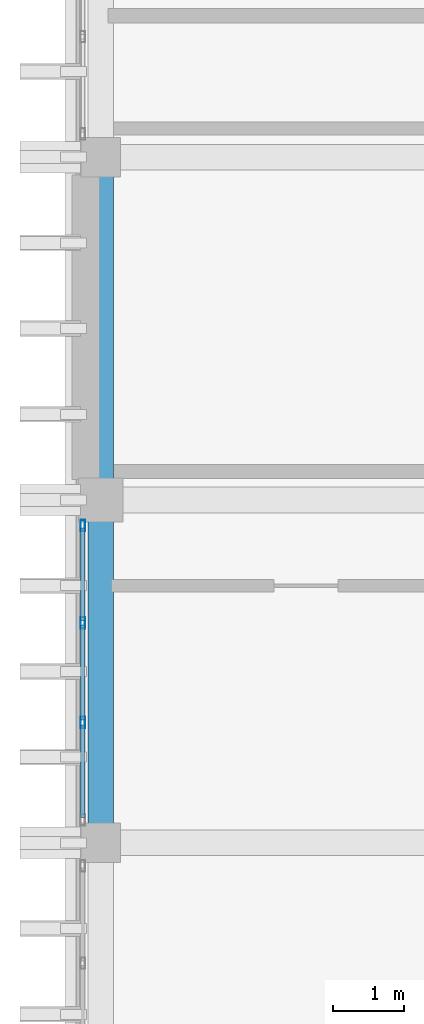
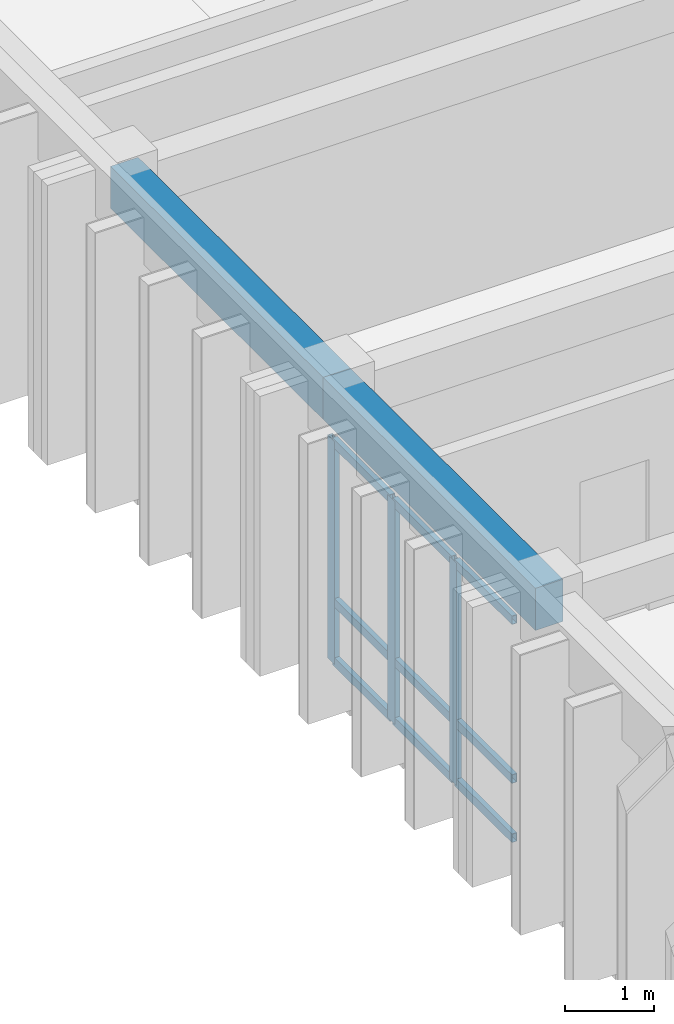
# One storey, part 19 of 50: 12 members, 2 beams, 1 element without a shape of its own.
"""IFC4 building model written with IfcOpenShell, lengths in metres."""

from ifc_helpers import new_model, si_unit, direction, frame, origin, origin_2d, place, context, subcontext, project, spatial, rectangle, hollow_rectangle, extrude, material, layer, layer_set, material_profile, profile_set, type_object, element, aggregate, save


model = new_model("IFC4")

# Units and contexts
model_context = context("Model", 3, precision=1e-05, world=origin(), true_north=direction((0.0, 1.0)))
body_context = subcontext(model_context, "Body", "Model", "MODEL_VIEW")
ifc_project = project(units=[si_unit("LENGTHUNIT", "METRE"), si_unit("AREAUNIT", "SQUARE_METRE"), si_unit("VOLUMEUNIT", "CUBIC_METRE"), si_unit("PLANEANGLEUNIT", "RADIAN"), si_unit("MASSUNIT", "GRAM", prefix="KILO")], contexts=[model_context])

# Site, building, storey
site_placement = place(None, origin())
site = spatial("IfcSite", under=ifc_project, at=site_placement, CompositionType="ELEMENT")
building_placement = place(site_placement, origin())
building = spatial("IfcBuilding", under=site, at=building_placement, Name="Nakhvara Creek Congress Hotel", CompositionType="ELEMENT")
storey_placement = place(building_placement, frame((0.0, 0.0, 42.60009765625)))
storey = spatial("IfcBuildingStorey", under=building, at=storey_placement, Name="L10", CompositionType="ELEMENT", Elevation=42.60009765625)

# Beams
ifc_material_1 = material(Name="Concrete C40/50", Category="concrete")
ifc_material_profile_1 = material_profile(ifc_material_1, rectangle(XDim=0.360107421875, YDim=0.580078125, at=origin_2d()), Name="RC-BM 360x580", Category="LoadBearing")
ifc_profile_set_1 = profile_set([ifc_material_profile_1], Name="Concrete C40/50")
beam_type = type_object("IfcBeamType", Name="BM-RC-360X580", PredefinedType="BEAM", material=ifc_profile_set_1)
for number, where, z_axis, x_axis, name in (
    (1, (149.449951171875, 91.199951171875, 3.369873046875), (0.0, 1.0, 0.0), (-1.0, 0.0, 0.0), "Beam B09-L10-2639"),
    (2, (149.449951171875, 96.0, 3.369873046875), (0.0, 1.0, 0.0), (-1.0, 0.0, 0.0), "Beam B09-L10-2640"),
):
    element("IfcBeam", number, at=place(storey_placement, frame(where, z_axis=z_axis, x_axis=x_axis)), inside=storey, type_object=beam_type, Name=name, PredefinedType="BEAM", context=body_context, shape_type="SweptSolid", body=[
        extrude(rectangle(XDim=0.360107421875, YDim=0.580078125, at=origin_2d()), origin(), (0.0, 0.0, 1.0), 4.800048828125),
    ])

# Curtain wall, members
ifc_material_2 = material(Name="Bronze-anodised aluminium AW-6063-T6 and double-silver low-E glass", Category="aluminium")
ifc_layer = layer(ifc_material_2, 0.199951171875)
ifc_layer_set = layer_set([ifc_layer], Name="Bronze-anodised aluminium AW-6063-T6 and double-silver low-E glass")
curtain_wall_type = type_object("IfcCurtainWallType", Name="CW-HTL-UNIT", PredefinedType="USERDEFINED", material=ifc_layer_set)
curtain_wall_placement = place(storey_placement, origin())
curtain_wall = element("IfcCurtainWall", 3, at=curtain_wall_placement, inside=storey, type_object=curtain_wall_type, Name="Curtain Wall CW323", ObjectType="UNITISED", PredefinedType="USERDEFINED")
ifc_material_3 = material(Name="Bronze-anodised aluminium AW-6063-T6", Category="aluminium")
ifc_material_profile_2 = material_profile(ifc_material_3, hollow_rectangle(XDim=0.06494140625, YDim=0.159912109375, WallThickness=0.00390625, at=origin_2d()), Name="ALU-MULL 65x160x4", Category="LoadBearing")
ifc_profile_set_2 = profile_set([ifc_material_profile_2], Name="Bronze-anodised aluminium AW-6063-T6")
member_type_1 = type_object("IfcMemberType", Name="CW-MULL-160", PredefinedType="MULLION", material=ifc_profile_set_2)
member_1_placement = place(storey_placement, frame((149.199951171875, 92.885009765625, 0.0), z_axis=(0.0, 0.0, 1.0), x_axis=(-1.0, 0.0, 0.0)))
member_1 = element("IfcMember", 4, at=member_1_placement, type_object=member_type_1, Name="CW323 mullion 2", PredefinedType="MULLION", context=body_context, shape_type="SweptSolid", body=[
    extrude(hollow_rectangle(XDim=0.06494140625, YDim=0.159912109375, WallThickness=0.00390625, at=origin_2d()), origin(), (0.0, 0.0, 1.0), 3.072021484375),
])
member_2_placement = place(storey_placement, frame((149.199951171875, 94.280029296875, 0.0), z_axis=(0.0, 0.0, 1.0), x_axis=(-1.0, 0.0, 0.0)))
member_2 = element("IfcMember", 5, at=member_2_placement, type_object=member_type_1, Name="CW323 mullion 3", PredefinedType="MULLION", context=body_context, shape_type="SweptSolid", body=[
    extrude(hollow_rectangle(XDim=0.06494140625, YDim=0.159912109375, WallThickness=0.00390625, at=origin_2d()), origin(), (0.0, 0.0, 1.0), 3.072021484375),
])
member_3_placement = place(storey_placement, frame((149.199951171875, 95.642578125, 0.0), z_axis=(0.0, 0.0, 1.0), x_axis=(-1.0, 0.0, 0.0)))
member_3 = element("IfcMember", 6, at=member_3_placement, type_object=member_type_1, Name="CW323 mullion 4", PredefinedType="MULLION", context=body_context, shape_type="SweptSolid", body=[
    extrude(hollow_rectangle(XDim=0.06494140625, YDim=0.159912109375, WallThickness=0.00390625, at=origin_2d()), origin(), (0.0, 0.0, 1.0), 3.072021484375),
])
ifc_material_profile_3 = material_profile(ifc_material_3, hollow_rectangle(XDim=0.06494140625, YDim=0.1201171875, WallThickness=0.00390625, at=origin_2d()), Name="ALU-TRAN 65x120x4", Category="LoadBearing")
ifc_profile_set_3 = profile_set([ifc_material_profile_3], Name="Bronze-anodised aluminium AW-6063-T6")
member_type_2 = type_object("IfcMemberType", Name="CW-TRAN-120", PredefinedType="USERDEFINED", material=ifc_profile_set_3)
member_4_placement = place(storey_placement, frame((149.199951171875, 91.554931640625, 0.032470703125), z_axis=(0.0, 1.0, 0.0), x_axis=(-1.0, 0.0, 0.0)))
member_4 = element("IfcMember", 7, at=member_4_placement, type_object=member_type_2, Name="CW323 transom 1.1", ObjectType="TRANSOM", PredefinedType="USERDEFINED", context=body_context, shape_type="SweptSolid", body=[
    extrude(hollow_rectangle(XDim=0.06494140625, YDim=0.1201171875, WallThickness=0.00390625, at=origin_2d()), origin(), (0.0, 0.0, 1.0), 1.297607421875),
])
member_5_placement = place(storey_placement, frame((149.199951171875, 91.554931640625, 0.849853515625), z_axis=(0.0, 1.0, 0.0), x_axis=(-1.0, 0.0, 0.0)))
member_5 = element("IfcMember", 8, at=member_5_placement, type_object=member_type_2, Name="CW323 transom 1.2", ObjectType="TRANSOM", PredefinedType="USERDEFINED", context=body_context, shape_type="SweptSolid", body=[
    extrude(hollow_rectangle(XDim=0.06494140625, YDim=0.1201171875, WallThickness=0.00390625, at=origin_2d()), origin(), (0.0, 0.0, 1.0), 1.297607421875),
])
member_6_placement = place(storey_placement, frame((149.199951171875, 91.554931640625, 3.039306640625), z_axis=(0.0, 1.0, 0.0), x_axis=(-1.0, 0.0, 0.0)))
member_6 = element("IfcMember", 9, at=member_6_placement, type_object=member_type_2, Name="CW323 transom 1.3", ObjectType="TRANSOM", PredefinedType="USERDEFINED", context=body_context, shape_type="SweptSolid", body=[
    extrude(hollow_rectangle(XDim=0.06494140625, YDim=0.1201171875, WallThickness=0.00390625, at=origin_2d()), origin(), (0.0, 0.0, 1.0), 1.297607421875),
])
member_7_placement = place(storey_placement, frame((149.199951171875, 92.91748046875, 0.032470703125), z_axis=(0.0, 1.0, 0.0), x_axis=(-1.0, 0.0, 0.0)))
member_7 = element("IfcMember", 10, at=member_7_placement, type_object=member_type_2, Name="CW323 transom 2.1", ObjectType="TRANSOM", PredefinedType="USERDEFINED", context=body_context, shape_type="SweptSolid", body=[
    extrude(hollow_rectangle(XDim=0.06494140625, YDim=0.1201171875, WallThickness=0.00390625, at=origin_2d()), origin(), (0.0, 0.0, 1.0), 1.330078125),
])
member_8_placement = place(storey_placement, frame((149.199951171875, 92.91748046875, 0.849853515625), z_axis=(0.0, 1.0, 0.0), x_axis=(-1.0, 0.0, 0.0)))
member_8 = element("IfcMember", 11, at=member_8_placement, type_object=member_type_2, Name="CW323 transom 2.2", ObjectType="TRANSOM", PredefinedType="USERDEFINED", context=body_context, shape_type="SweptSolid", body=[
    extrude(hollow_rectangle(XDim=0.06494140625, YDim=0.1201171875, WallThickness=0.00390625, at=origin_2d()), origin(), (0.0, 0.0, 1.0), 1.330078125),
])
member_9_placement = place(storey_placement, frame((149.199951171875, 92.91748046875, 3.039306640625), z_axis=(0.0, 1.0, 0.0), x_axis=(-1.0, 0.0, 0.0)))
member_9 = element("IfcMember", 12, at=member_9_placement, type_object=member_type_2, Name="CW323 transom 2.3", ObjectType="TRANSOM", PredefinedType="USERDEFINED", context=body_context, shape_type="SweptSolid", body=[
    extrude(hollow_rectangle(XDim=0.06494140625, YDim=0.1201171875, WallThickness=0.00390625, at=origin_2d()), origin(), (0.0, 0.0, 1.0), 1.330078125),
])
member_10_placement = place(storey_placement, frame((149.199951171875, 94.3125, 0.032470703125), z_axis=(0.0, 1.0, 0.0), x_axis=(-1.0, 0.0, 0.0)))
member_10 = element("IfcMember", 13, at=member_10_placement, type_object=member_type_2, Name="CW323 transom 3.1", ObjectType="TRANSOM", PredefinedType="USERDEFINED", context=body_context, shape_type="SweptSolid", body=[
    extrude(hollow_rectangle(XDim=0.06494140625, YDim=0.1201171875, WallThickness=0.00390625, at=origin_2d()), origin(), (0.0, 0.0, 1.0), 1.297607421875),
])
member_11_placement = place(storey_placement, frame((149.199951171875, 94.3125, 0.849853515625), z_axis=(0.0, 1.0, 0.0), x_axis=(-1.0, 0.0, 0.0)))
member_11 = element("IfcMember", 14, at=member_11_placement, type_object=member_type_2, Name="CW323 transom 3.2", ObjectType="TRANSOM", PredefinedType="USERDEFINED", context=body_context, shape_type="SweptSolid", body=[
    extrude(hollow_rectangle(XDim=0.06494140625, YDim=0.1201171875, WallThickness=0.00390625, at=origin_2d()), origin(), (0.0, 0.0, 1.0), 1.297607421875),
])
member_12_placement = place(storey_placement, frame((149.199951171875, 94.3125, 3.039306640625), z_axis=(0.0, 1.0, 0.0), x_axis=(-1.0, 0.0, 0.0)))
member_12 = element("IfcMember", 15, at=member_12_placement, type_object=member_type_2, Name="CW323 transom 3.3", ObjectType="TRANSOM", PredefinedType="USERDEFINED", context=body_context, shape_type="SweptSolid", body=[
    extrude(hollow_rectangle(XDim=0.06494140625, YDim=0.1201171875, WallThickness=0.00390625, at=origin_2d()), origin(), (0.0, 0.0, 1.0), 1.297607421875),
])
aggregate(curtain_wall, [member_1, member_2, member_3, member_4, member_5, member_6, member_7, member_8, member_9, member_10, member_11, member_12])

save(model, "model.ifc")
